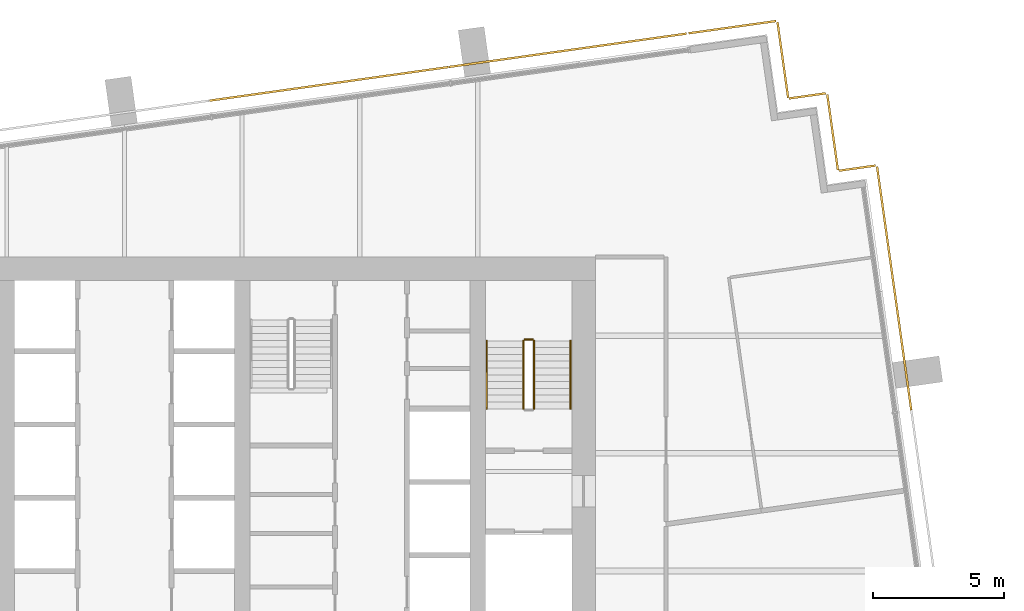
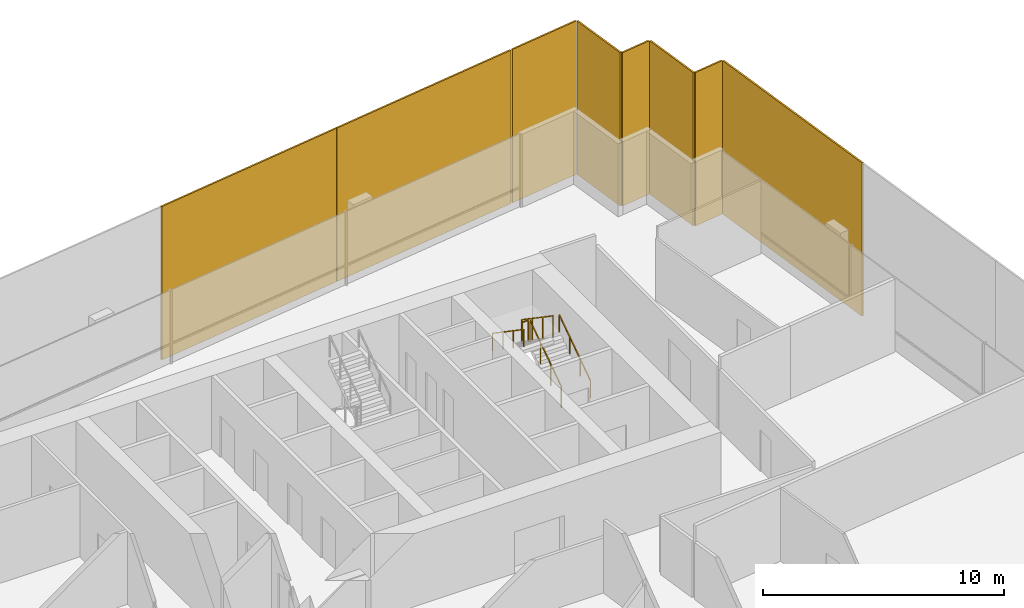
# One storey, part 17 of 17: 8 coverings, 5 railings.
"""IFC4 building model written with IfcOpenShell, lengths in metres."""

from ifc_helpers import new_model, si_unit, direction, frame, origin, origin_2d, place, context, subcontext, project, spatial, rectangle, extrude, material, layer, layer_set, type_object, element, save


model = new_model("IFC4")

# Units and contexts
model_context = context("Model", 3, precision=1e-05, world=origin(), true_north=direction((0.0, 1.0)))
body_context = subcontext(model_context, "Body", "Model", "MODEL_VIEW")
ifc_project = project(units=[si_unit("LENGTHUNIT", "METRE"), si_unit("AREAUNIT", "SQUARE_METRE"), si_unit("VOLUMEUNIT", "CUBIC_METRE"), si_unit("PLANEANGLEUNIT", "RADIAN"), si_unit("MASSUNIT", "GRAM", prefix="KILO")], contexts=[model_context])

# Site, building, storey
site_placement = place(None, origin())
site = spatial("IfcSite", under=ifc_project, at=site_placement, CompositionType="ELEMENT")
building_placement = place(site_placement, origin())
building = spatial("IfcBuilding", under=site, at=building_placement, Name="Rattan Terrace Tower", CompositionType="ELEMENT")
storey_placement = place(building_placement, frame((0.0, 0.0, 236.89990234375)))
storey = spatial("IfcBuildingStorey", under=building, at=storey_placement, Name="L54", CompositionType="ELEMENT", Elevation=236.89990234375)

# Railings
ifc_material_1 = material(Name="Powder-coated steel guard", Category="steel")
railing_type_1 = type_object("IfcRailingType", Name="Core stair guard", PredefinedType="GUARDRAIL", material=ifc_material_1)
railing_1_placement = place(storey_placement, frame((15.64990234375, 1.699951171875, 0.177490234375)))
element("IfcRailing", 1, at=railing_1_placement, inside=storey, type_object=railing_type_1, Name="L54 S2 stair guard 1", PredefinedType="GUARDRAIL", context=body_context, shape_type="SweptSolid", body=[
    extrude(rectangle(XDim=0.048095703125, YDim=0.048095703125, at=origin_2d()), frame((0.0, 0.0, 1.076171875), z_axis=(0.0, 0.826240473404, 0.563317565952), x_axis=(-1.0, 0.0, 0.0)), (0.0, 0.0, 1.0), 3.14697265625),
    extrude(rectangle(XDim=0.0419921875, YDim=0.0419921875, at=origin_2d()), origin(), (0.0, 0.0, 1.0), 1.052001953125),
    extrude(rectangle(XDim=0.0419921875, YDim=0.0419921875, at=origin_2d()), frame((0.0, 0.86669921875, 0.5908203125)), (0.0, 0.0, 1.0), 1.052001953125),
    extrude(rectangle(XDim=0.0419921875, YDim=0.0419921875, at=origin_2d()), frame((0.0, 1.7333984375, 1.181884765625)), (0.0, 0.0, 1.0), 1.052001953125),
    extrude(rectangle(XDim=0.0419921875, YDim=0.0419921875, at=origin_2d()), frame((0.0, 2.60009765625, 1.772705078125)), (0.0, 0.0, 1.0), 1.052001953125),
])
railing_2_placement = place(storey_placement, frame((15.60009765625, 4.35009765625, 1.9501953125)))
element("IfcRailing", 2, at=railing_2_placement, inside=storey, type_object=railing_type_1, Name="L54 S2 stair guard 2", PredefinedType="GUARDRAIL", context=body_context, shape_type="SweptSolid", body=[
    extrude(rectangle(XDim=0.048095703125, YDim=0.048095703125, at=origin_2d()), frame((0.0, 0.0, 1.076171875), z_axis=(-1.0, 0.0, 0.0), x_axis=(0.0, -1.0, 0.0)), (0.0, 0.0, 1.0), 0.300048828125),
    extrude(rectangle(XDim=0.0419921875, YDim=0.0419921875, at=origin_2d()), origin(), (0.0, 0.0, 1.0), 1.052001953125),
    extrude(rectangle(XDim=0.0419921875, YDim=0.0419921875, at=origin_2d()), frame((-0.300048828125, 0.0, 0.0)), (0.0, 0.0, 1.0), 1.052001953125),
])
railing_3_placement = place(storey_placement, frame((15.25, 4.300048828125, 2.12744140625)))
element("IfcRailing", 3, at=railing_3_placement, inside=storey, type_object=railing_type_1, Name="L54 S2 stair guard 3", PredefinedType="GUARDRAIL", context=body_context, shape_type="SweptSolid", body=[
    extrude(rectangle(XDim=0.048095703125, YDim=0.048095703125, at=origin_2d()), frame((0.0, 0.0, 1.076171875), z_axis=(0.0, -0.826240473404, 0.563317565952), x_axis=(1.0, 0.0, 0.0)), (0.0, 0.0, 1.0), 3.14697265625),
    extrude(rectangle(XDim=0.0419921875, YDim=0.0419921875, at=origin_2d()), origin(), (0.0, 0.0, 1.0), 1.052001953125),
    extrude(rectangle(XDim=0.0419921875, YDim=0.0419921875, at=origin_2d()), frame((0.0, -0.86669921875, 0.5908203125)), (0.0, 0.0, 1.0), 1.052001953125),
    extrude(rectangle(XDim=0.0419921875, YDim=0.0419921875, at=origin_2d()), frame((0.0, -1.7333984375, 1.181884765625)), (0.0, 0.0, 1.0), 1.052001953125),
    extrude(rectangle(XDim=0.0419921875, YDim=0.0419921875, at=origin_2d()), frame((0.0, -2.60009765625, 1.772705078125)), (0.0, 0.0, 1.0), 1.052001953125),
])
ifc_material_2 = material(Name="Powder-coated steel handrail", Category="steel")
railing_type_2 = type_object("IfcRailingType", Name="Core stair handrail", PredefinedType="HANDRAIL", material=ifc_material_2)
railing_4_placement = place(storey_placement, frame((17.050048828125, 1.699951171875, 0.177490234375)))
element("IfcRailing", 4, at=railing_4_placement, inside=storey, type_object=railing_type_2, Name="L54 S2 stair handrail 1", PredefinedType="HANDRAIL", context=body_context, shape_type="SweptSolid", body=[
    extrude(rectangle(XDim=0.048095703125, YDim=0.048095703125, at=origin_2d()), frame((0.0, 0.0, 0.8759765625), z_axis=(0.0, 0.826240473404, 0.563317565952), x_axis=(-1.0, 0.0, 0.0)), (0.0, 0.0, 1.0), 3.14697265625),
    extrude(rectangle(XDim=0.0419921875, YDim=0.0419921875, at=origin_2d()), origin(), (0.0, 0.0, 1.0), 0.851806640625),
    extrude(rectangle(XDim=0.0419921875, YDim=0.0419921875, at=origin_2d()), frame((0.0, 0.86669921875, 0.5908203125)), (0.0, 0.0, 1.0), 0.851806640625),
    extrude(rectangle(XDim=0.0419921875, YDim=0.0419921875, at=origin_2d()), frame((0.0, 1.7333984375, 1.181884765625)), (0.0, 0.0, 1.0), 0.851806640625),
    extrude(rectangle(XDim=0.0419921875, YDim=0.0419921875, at=origin_2d()), frame((0.0, 2.60009765625, 1.772705078125)), (0.0, 0.0, 1.0), 0.851806640625),
])
railing_5_placement = place(storey_placement, frame((13.85009765625, 4.300048828125, 2.12744140625)))
element("IfcRailing", 5, at=railing_5_placement, inside=storey, type_object=railing_type_2, Name="L54 S2 stair handrail 2", PredefinedType="HANDRAIL", context=body_context, shape_type="SweptSolid", body=[
    extrude(rectangle(XDim=0.048095703125, YDim=0.048095703125, at=origin_2d()), frame((0.0, 0.0, 0.8759765625), z_axis=(0.0, -0.826240473404, 0.563317565952), x_axis=(1.0, 0.0, 0.0)), (0.0, 0.0, 1.0), 3.14697265625),
    extrude(rectangle(XDim=0.0419921875, YDim=0.0419921875, at=origin_2d()), origin(), (0.0, 0.0, 1.0), 0.851806640625),
    extrude(rectangle(XDim=0.0419921875, YDim=0.0419921875, at=origin_2d()), frame((0.0, -0.86669921875, 0.5908203125)), (0.0, 0.0, 1.0), 0.851806640625),
    extrude(rectangle(XDim=0.0419921875, YDim=0.0419921875, at=origin_2d()), frame((0.0, -1.7333984375, 1.181884765625)), (0.0, 0.0, 1.0), 0.851806640625),
    extrude(rectangle(XDim=0.0419921875, YDim=0.0419921875, at=origin_2d()), frame((0.0, -2.60009765625, 1.772705078125)), (0.0, 0.0, 1.0), 0.851806640625),
])

# Coverings
ifc_material_3 = material(Name="Perforated terracotta", Category="masonry")
ifc_layer = layer(ifc_material_3, 0.080078125)
ifc_layer_set = layer_set([ifc_layer], Name="Facade Terracotta Screen Panel HZ")
covering_type = type_object("IfcCoveringType", Name="Facade Terracotta Screen Panel HZ", PredefinedType="CLADDING", material=ifc_layer_set)
covering_1_placement = place(storey_placement, frame((29.420654296875, 6.302978515625, -0.18994140625), z_axis=(0.0, 0.0, 1.0), x_axis=(-0.139186165309, 0.990266232579, 0.0)))
element("IfcCovering", 6, at=covering_1_placement, inside=storey, type_object=covering_type, Name="OUTER SKIN panel L54-8", PredefinedType="CLADDING", context=body_context, shape_type="SweptSolid", body=[
    extrude(rectangle(XDim=9.39990234375, YDim=0.080078125, at=origin_2d()), origin(), (0.0, 0.0, 1.0), 7.780029296875),
])
covering_2_placement = place(storey_placement, frame((28.007080078125, 10.900634765625, -0.18994140625), z_axis=(0.0, 0.0, 1.0), x_axis=(-0.990240767803, -0.139367219175, 0.0)))
element("IfcCovering", 7, at=covering_2_placement, inside=storey, type_object=covering_type, Name="OUTER SKIN panel L54-9", PredefinedType="CLADDING", context=body_context, shape_type="SweptSolid", body=[
    extrude(rectangle(XDim=1.419677734375, YDim=0.080078125, at=origin_2d()), origin(), (0.0, 0.0, 1.0), 7.780029296875),
])
covering_3_placement = place(storey_placement, frame((27.06689453125, 12.273193359375, -0.18994140625), z_axis=(0.0, 0.0, 1.0), x_axis=(-0.139321220646, 0.990247240581, 0.0)))
element("IfcCovering", 8, at=covering_3_placement, inside=storey, type_object=covering_type, Name="OUTER SKIN panel L54-10", PredefinedType="CLADDING", context=body_context, shape_type="SweptSolid", body=[
    extrude(rectangle(XDim=2.920166015625, YDim=0.080078125, at=origin_2d()), origin(), (0.0, 0.0, 1.0), 7.780029296875),
])
covering_4_placement = place(storey_placement, frame((26.10400390625, 13.662841796875, -0.18994140625), z_axis=(0.0, 0.0, 1.0), x_axis=(-0.990240767803, -0.139367219175, 0.0)))
element("IfcCovering", 9, at=covering_4_placement, inside=storey, type_object=covering_type, Name="OUTER SKIN panel L54-11", PredefinedType="CLADDING", context=body_context, shape_type="SweptSolid", body=[
    extrude(rectangle(XDim=1.419677734375, YDim=0.080078125, at=origin_2d()), origin(), (0.0, 0.0, 1.0), 7.780029296875),
])
covering_5_placement = place(storey_placement, frame((25.163818359375, 15.03515625, -0.18994140625), z_axis=(0.0, 0.0, 1.0), x_axis=(-0.139321220646, 0.990247240581, 0.0)))
element("IfcCovering", 10, at=covering_5_placement, inside=storey, type_object=covering_type, Name="OUTER SKIN panel L54-12", PredefinedType="CLADDING", context=body_context, shape_type="SweptSolid", body=[
    extrude(rectangle(XDim=2.920166015625, YDim=0.080078125, at=origin_2d()), origin(), (0.0, 0.0, 1.0), 7.780029296875),
])
covering_6_placement = place(storey_placement, frame((23.2353515625, 16.289306640625, -0.18994140625), z_axis=(0.0, 0.0, 1.0), x_axis=(-0.990293172258, -0.138994363123, 0.0)))
element("IfcCovering", 11, at=covering_6_placement, inside=storey, type_object=covering_type, Name="OUTER SKIN panel L54-13", PredefinedType="CLADDING", context=body_context, shape_type="SweptSolid", body=[
    extrude(rectangle(XDim=3.3701171875, YDim=0.080078125, at=origin_2d()), origin(), (0.0, 0.0, 1.0), 7.780029296875),
])
covering_7_placement = place(storey_placement, frame((16.941650390625, 15.405029296875, -0.18994140625), z_axis=(0.0, 0.0, 1.0), x_axis=(-0.990267457022, -0.139177453499, 0.0)))
element("IfcCovering", 12, at=covering_7_placement, inside=storey, type_object=covering_type, Name="OUTER SKIN panel L54-14", PredefinedType="CLADDING", context=body_context, shape_type="SweptSolid", body=[
    extrude(rectangle(XDim=9.18115234375, YDim=0.080078125, at=origin_2d()), origin(), (0.0, 0.0, 1.0), 7.780029296875),
])
covering_8_placement = place(storey_placement, frame((7.815185546875, 14.122314453125, -0.18994140625), z_axis=(0.0, 0.0, 1.0), x_axis=(-0.990267457022, -0.139177453499, 0.0)))
element("IfcCovering", 13, at=covering_8_placement, inside=storey, type_object=covering_type, Name="OUTER SKIN panel L54-15", PredefinedType="CLADDING", context=body_context, shape_type="SweptSolid", body=[
    extrude(rectangle(XDim=9.2109375, YDim=0.080078125, at=origin_2d()), origin(), (0.0, 0.0, 1.0), 7.780029296875),
])

save(model, "model.ifc")
